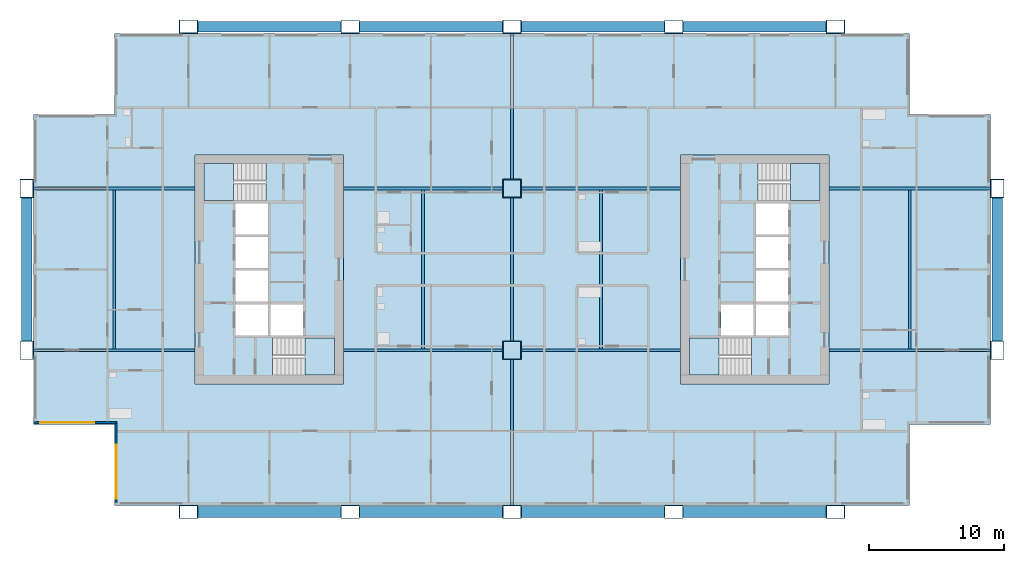
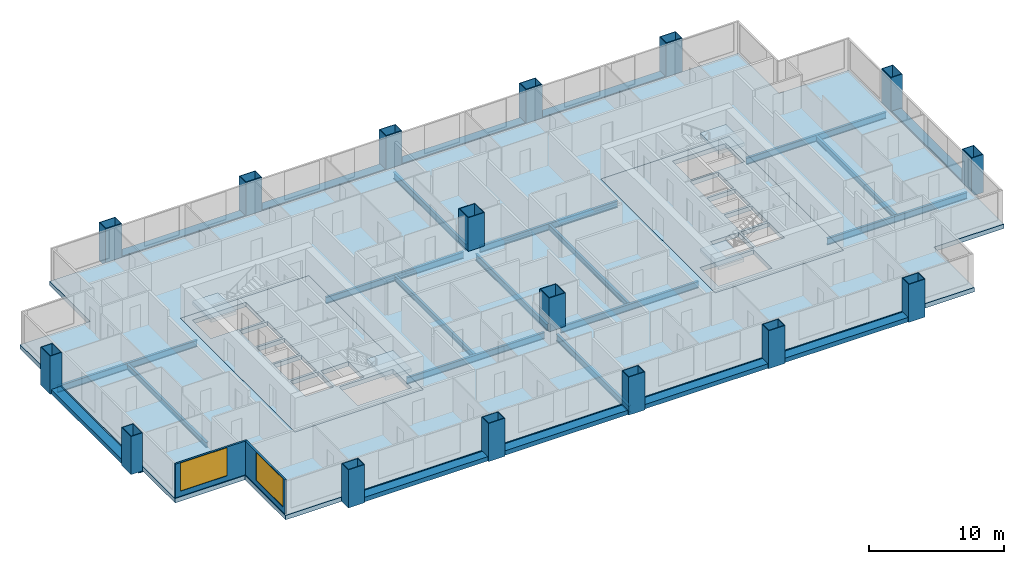
# One storey, part 1 of 11: 25 beams, 16 columns, 7 slabs, 2 walls, 2 windows, 2 openings, 4 elements without a shape of their own.
"""IFC4 building model written with IfcOpenShell, lengths in metres."""

from ifc_helpers import new_model, si_unit, direction, frame, frame_2d, origin, origin_2d, place, context, subcontext, project, spatial, polyline, rectangle, hollow_rectangle, i_section, outline, extrude, material, layer, layer_set, material_profile, profile_set, type_object, element, fill, aggregate, save


model = new_model("IFC4")

# Units and contexts
model_context = context("Model", 3, precision=1e-05, world=origin(), true_north=direction((0.0, 1.0)))
body_context = subcontext(model_context, "Body", "Model", "MODEL_VIEW")
ifc_project = project(units=[si_unit("LENGTHUNIT", "METRE"), si_unit("AREAUNIT", "SQUARE_METRE"), si_unit("VOLUMEUNIT", "CUBIC_METRE"), si_unit("PLANEANGLEUNIT", "RADIAN"), si_unit("MASSUNIT", "GRAM", prefix="KILO")], contexts=[model_context])

# Site, building, storey
site_placement = place(None, origin())
site = spatial("IfcSite", under=ifc_project, at=site_placement, CompositionType="ELEMENT")
building_placement = place(site_placement, origin())
building = spatial("IfcBuilding", under=site, at=building_placement, Name="Kitamizu Gate Tower and Museum", CompositionType="ELEMENT")
storey_placement = place(building_placement, frame((0.0, 0.0, 127.64990234375)))
storey = spatial("IfcBuildingStorey", under=building, at=storey_placement, Name="L33", CompositionType="ELEMENT", Elevation=127.64990234375)

# Columns
ifc_material_1 = material(Name="Steel SM490A bronze coated", Category="steel")
ifc_material_profile_1 = material_profile(ifc_material_1, hollow_rectangle(XDim=1.39990234375, YDim=1.0, WallThickness=0.054931640625, at=origin_2d()), Name="BOX 1400x1000x55")
ifc_profile_set_1 = profile_set([ifc_material_profile_1], Name="Steel SM490A bronze coated")
column_type_1 = type_object("IfcColumnType", Name="Exoskeleton column XC5 BOX 1400x1000x55", PredefinedType="COLUMN", material=ifc_profile_set_1)
for number, where, z_axis, x_axis, name in (
    (1, (0.0, 24.0, -0.39990234375), (0.0, 0.0, 1.0), (0.0, 1.0, 0.0), "Column XC5 1C L33"),
    (2, (0.0, 36.0, -0.39990234375), (0.0, 0.0, 1.0), (0.0, 1.0, 0.0), "Column XC5 1D L33"),
    (3, (12.0, 12.0, -0.39990234375), (0.0, 0.0, 1.0), (1.0, 0.0, 0.0), "Column XC5 2B L33"),
    (4, (12.0, 48.0, -0.39990234375), (0.0, 0.0, 1.0), (1.0, 0.0, 0.0), "Column XC5 2E L33"),
    (5, (24.0, 12.0, -0.39990234375), (0.0, 0.0, 1.0), (1.0, 0.0, 0.0), "Column XC5 3B L33"),
    (6, (24.0, 48.0, -0.39990234375), (0.0, 0.0, 1.0), (1.0, 0.0, 0.0), "Column XC5 3E L33"),
    (7, (36.0, 12.0, -0.39990234375), (0.0, 0.0, 1.0), (1.0, 0.0, 0.0), "Column XC5 4B L33"),
    (8, (36.0, 48.0, -0.39990234375), (0.0, 0.0, 1.0), (1.0, 0.0, 0.0), "Column XC5 4E L33"),
    (9, (48.0, 12.0, -0.39990234375), (0.0, 0.0, 1.0), (1.0, 0.0, 0.0), "Column XC5 5B L33"),
    (10, (48.0, 48.0, -0.39990234375), (0.0, 0.0, 1.0), (1.0, 0.0, 0.0), "Column XC5 5E L33"),
    (11, (60.0, 12.0, -0.39990234375), (0.0, 0.0, 1.0), (1.0, 0.0, 0.0), "Column XC5 6B L33"),
    (12, (60.0, 48.0, -0.39990234375), (0.0, 0.0, 1.0), (1.0, 0.0, 0.0), "Column XC5 6E L33"),
    (13, (72.0, 24.0, -0.39990234375), (0.0, 0.0, 1.0), (0.0, 1.0, 0.0), "Column XC5 7C L33"),
    (14, (72.0, 36.0, -0.39990234375), (0.0, 0.0, 1.0), (0.0, 1.0, 0.0), "Column XC5 7D L33"),
):
    element("IfcColumn", number, at=place(storey_placement, frame(where, z_axis=z_axis, x_axis=x_axis)), inside=storey, type_object=column_type_1, Name=name, PredefinedType="COLUMN", context=body_context, shape_type="SweptSolid", body=[
        extrude(hollow_rectangle(XDim=1.39990234375, YDim=1.0, WallThickness=0.054931640625, at=origin_2d()), origin(), (0.0, 0.0, 1.0), 3.449951171875),
    ])
ifc_material_2 = material(Name="Steel SM490A", Category="steel")
ifc_material_profile_2 = material_profile(ifc_material_2, hollow_rectangle(XDim=1.39990234375, YDim=1.39990234375, WallThickness=0.06005859375, at=origin_2d()), Name="BOX 1400x1400x60")
ifc_profile_set_2 = profile_set([ifc_material_profile_2], Name="Steel SM490A")
column_type_2 = type_object("IfcColumnType", Name="Interior column IC3 BOX 1400x1400x60", PredefinedType="COLUMN", material=ifc_profile_set_2)
for number, where, z_axis, x_axis, name in (
    (15, (36.0, 24.0, 0.0), (0.0, 0.0, 1.0), (1.0, 0.0, 0.0), "Column IC3 4C L33"),
    (16, (36.0, 36.0, 0.0), (0.0, 0.0, 1.0), (1.0, 0.0, 0.0), "Column IC3 4D L33"),
):
    element("IfcColumn", number, at=place(storey_placement, frame(where, z_axis=z_axis, x_axis=x_axis)), inside=storey, type_object=column_type_2, Name=name, PredefinedType="COLUMN", context=body_context, shape_type="SweptSolid", body=[
        extrude(hollow_rectangle(XDim=1.39990234375, YDim=1.39990234375, WallThickness=0.06005859375, at=origin_2d()), origin(), (0.0, 0.0, 1.0), 3.050048828125),
    ])

# Beams
ifc_material_3 = material(Name="Steel SM490A bronze coated", Category="steel")
ifc_material_profile_3 = material_profile(ifc_material_3, hollow_rectangle(XDim=0.800048828125, YDim=0.39990234375, WallThickness=0.0400390625, at=origin_2d()), Name="BOX 800x400x40")
ifc_profile_set_3 = profile_set([ifc_material_profile_3], Name="Steel SM490A bronze coated")
beam_type_1 = type_object("IfcBeamType", Name="Exoskeleton spandrel beam SB1 BOX 800x400x40", PredefinedType="SPANDREL", material=ifc_profile_set_3)
for number, where, z_axis, x_axis, name in (
    (17, (12.699951171875, 12.0, -0.199951171875), (1.0, 0.0, 0.0), (0.0, 1.0, 0.0), "Exoskeleton spandrel beam south 12 L33"),
    (18, (24.699951171875, 12.0, -0.199951171875), (1.0, 0.0, 0.0), (0.0, 1.0, 0.0), "Exoskeleton spandrel beam south 24 L33"),
    (19, (36.699951171875, 12.0, -0.199951171875), (1.0, 0.0, 0.0), (0.0, 1.0, 0.0), "Exoskeleton spandrel beam south 36 L33"),
    (20, (48.699951171875, 12.0, -0.199951171875), (1.0, 0.0, 0.0), (0.0, 1.0, 0.0), "Exoskeleton spandrel beam south 48 L33"),
    (21, (12.699951171875, 48.0, -0.199951171875), (1.0, 0.0, 0.0), (0.0, 1.0, 0.0), "Exoskeleton spandrel beam north 12 L33"),
    (22, (24.699951171875, 48.0, -0.199951171875), (1.0, 0.0, 0.0), (0.0, 1.0, 0.0), "Exoskeleton spandrel beam north 24 L33"),
    (23, (36.699951171875, 48.0, -0.199951171875), (1.0, 0.0, 0.0), (0.0, 1.0, 0.0), "Exoskeleton spandrel beam north 36 L33"),
    (24, (48.699951171875, 48.0, -0.199951171875), (1.0, 0.0, 0.0), (0.0, 1.0, 0.0), "Exoskeleton spandrel beam north 48 L33"),
    (25, (0.0, 24.699951171875, -0.199951171875), (0.0, 1.0, 0.0), (-1.0, 0.0, 0.0), "Exoskeleton spandrel beam west 24 L33"),
    (26, (72.0, 24.699951171875, -0.199951171875), (0.0, 1.0, 0.0), (-1.0, 0.0, 0.0), "Exoskeleton spandrel beam east 24 L33"),
):
    element("IfcBeam", number, at=place(storey_placement, frame(where, z_axis=z_axis, x_axis=x_axis)), inside=storey, type_object=beam_type_1, Name=name, PredefinedType="SPANDREL", context=body_context, shape_type="SweptSolid", body=[
        extrude(hollow_rectangle(XDim=0.800048828125, YDim=0.39990234375, WallThickness=0.0400390625, at=origin_2d()), origin(), (0.0, 0.0, 1.0), 10.60009765625),
    ])
ifc_material_4 = material(Name="Steel SM490A", Category="steel")
ifc_material_profile_4 = material_profile(ifc_material_4, i_section(OverallWidth=0.199951171875, OverallDepth=0.5, WebThickness=0.010009765625, FlangeThickness=0.01611328125, FilletRadius=0.02001953125, at=origin_2d()), Name="H-500x200x10x16")
ifc_profile_set_4 = profile_set([ifc_material_profile_4], Name="Steel SM490A")
beam_type_2 = type_object("IfcBeamType", Name="Floor beam FB1 H 500x200x10x16", PredefinedType="BEAM", material=ifc_profile_set_4)
for number, where, z_axis, x_axis, name in (
    (27, (6.5, 24.10009765625, -0.64990234375), (0.0, 1.0, 0.0), (-1.0, 0.0, 0.0), "Floor beam FB1 L33-1"),
    (28, (29.39990234375, 24.10009765625, -0.64990234375), (0.0, 1.0, 0.0), (-1.0, 0.0, 0.0), "Floor beam FB1 L33-2"),
    (29, (42.60009765625, 24.10009765625, -0.64990234375), (0.0, 1.0, 0.0), (-1.0, 0.0, 0.0), "Floor beam FB1 L33-3"),
    (30, (65.5, 24.10009765625, -0.64990234375), (0.0, 1.0, 0.0), (-1.0, 0.0, 0.0), "Floor beam FB1 L33-4"),
):
    element("IfcBeam", number, at=place(storey_placement, frame(where, z_axis=z_axis, x_axis=x_axis)), inside=storey, type_object=beam_type_2, Name=name, PredefinedType="BEAM", context=body_context, shape_type="SweptSolid", body=[
        extrude(i_section(OverallWidth=0.199951171875, OverallDepth=0.5, WebThickness=0.010009765625, FlangeThickness=0.01611328125, FilletRadius=0.02001953125, at=origin_2d()), origin(), (0.0, 0.0, 1.0), 11.7998046875),
    ])
ifc_material_5 = material(Name="Steel SM490A", Category="steel")
ifc_material_profile_5 = material_profile(ifc_material_5, i_section(OverallWidth=0.199951171875, OverallDepth=0.60009765625, WebThickness=0.010986328125, FlangeThickness=0.01708984375, FilletRadius=0.02197265625, at=origin_2d()), Name="H-600x200x11x17")
ifc_profile_set_5 = profile_set([ifc_material_profile_5], Name="Steel SM490A")
beam_type_3 = type_object("IfcBeamType", Name="Floor girder FG1 H 600x200x11x17", PredefinedType="BEAM", material=ifc_profile_set_5)
beam_1_placement = place(storey_placement, frame((36.0, 12.5, -0.699951171875), z_axis=(0.0, 1.0, 0.0), x_axis=(-1.0, 0.0, 0.0)))
element("IfcBeam", 31, at=beam_1_placement, inside=storey, type_object=beam_type_3, Name="Floor girder FG1 x36 L33", PredefinedType="BEAM", context=body_context, shape_type="SweptSolid", body=[
    extrude(i_section(OverallWidth=0.199951171875, OverallDepth=0.60009765625, WebThickness=0.010986328125, FlangeThickness=0.01708984375, FilletRadius=0.02197265625, at=origin_2d()), origin(), (0.0, 0.0, 1.0), 10.800048828125),
])
beam_2_placement = place(storey_placement, frame((36.0, 24.699951171875, -0.699951171875), z_axis=(0.0, 1.0, 0.0), x_axis=(-1.0, 0.0, 0.0)))
element("IfcBeam", 32, at=beam_2_placement, inside=storey, type_object=beam_type_3, Name="Floor girder FG1 x36 L33", PredefinedType="BEAM", context=body_context, shape_type="SweptSolid", body=[
    extrude(i_section(OverallWidth=0.199951171875, OverallDepth=0.60009765625, WebThickness=0.010986328125, FlangeThickness=0.01708984375, FilletRadius=0.02197265625, at=origin_2d()), origin(), (0.0, 0.0, 1.0), 10.60009765625),
])
beam_3_placement = place(storey_placement, frame((36.0, 36.699951171875, -0.699951171875), z_axis=(0.0, 1.0, 0.0), x_axis=(-1.0, 0.0, 0.0)))
element("IfcBeam", 33, at=beam_3_placement, inside=storey, type_object=beam_type_3, Name="Floor girder FG1 x36 L33", PredefinedType="BEAM", context=body_context, shape_type="SweptSolid", body=[
    extrude(i_section(OverallWidth=0.199951171875, OverallDepth=0.60009765625, WebThickness=0.010986328125, FlangeThickness=0.01708984375, FilletRadius=0.02197265625, at=origin_2d()), origin(), (0.0, 0.0, 1.0), 10.800048828125),
])
beam_4_placement = place(storey_placement, frame((0.5, 24.0, -0.699951171875), z_axis=(1.0, 0.0, 0.0), x_axis=(0.0, 1.0, 0.0)))
element("IfcBeam", 34, at=beam_4_placement, inside=storey, type_object=beam_type_3, Name="Floor girder FG1 y24 L33", PredefinedType="BEAM", context=body_context, shape_type="SweptSolid", body=[
    extrude(i_section(OverallWidth=0.199951171875, OverallDepth=0.60009765625, WebThickness=0.010986328125, FlangeThickness=0.01708984375, FilletRadius=0.02197265625, at=origin_2d()), origin(), (0.0, 0.0, 1.0), 12.0),
])
for number, where, z_axis, x_axis, name in (
    (35, (23.5, 24.0, -0.699951171875), (1.0, 0.0, 0.0), (0.0, 1.0, 0.0), "Floor girder FG1 y24 L33"),
    (36, (36.699951171875, 24.0, -0.699951171875), (1.0, 0.0, 0.0), (0.0, 1.0, 0.0), "Floor girder FG1 y24 L33"),
):
    element("IfcBeam", number, at=place(storey_placement, frame(where, z_axis=z_axis, x_axis=x_axis)), inside=storey, type_object=beam_type_3, Name=name, PredefinedType="BEAM", context=body_context, shape_type="SweptSolid", body=[
        extrude(i_section(OverallWidth=0.199951171875, OverallDepth=0.60009765625, WebThickness=0.010986328125, FlangeThickness=0.01708984375, FilletRadius=0.02197265625, at=origin_2d()), origin(), (0.0, 0.0, 1.0), 11.800048828125),
    ])
for number, where, z_axis, x_axis, name in (
    (37, (59.5, 24.0, -0.699951171875), (1.0, 0.0, 0.0), (0.0, 1.0, 0.0), "Floor girder FG1 y24 L33"),
    (38, (0.5, 36.0, -0.699951171875), (1.0, 0.0, 0.0), (0.0, 1.0, 0.0), "Floor girder FG1 y36 L33"),
):
    element("IfcBeam", number, at=place(storey_placement, frame(where, z_axis=z_axis, x_axis=x_axis)), inside=storey, type_object=beam_type_3, Name=name, PredefinedType="BEAM", context=body_context, shape_type="SweptSolid", body=[
        extrude(i_section(OverallWidth=0.199951171875, OverallDepth=0.60009765625, WebThickness=0.010986328125, FlangeThickness=0.01708984375, FilletRadius=0.02197265625, at=origin_2d()), origin(), (0.0, 0.0, 1.0), 12.0),
    ])
for number, where, z_axis, x_axis, name in (
    (39, (23.5, 36.0, -0.699951171875), (1.0, 0.0, 0.0), (0.0, 1.0, 0.0), "Floor girder FG1 y36 L33"),
    (40, (36.699951171875, 36.0, -0.699951171875), (1.0, 0.0, 0.0), (0.0, 1.0, 0.0), "Floor girder FG1 y36 L33"),
):
    element("IfcBeam", number, at=place(storey_placement, frame(where, z_axis=z_axis, x_axis=x_axis)), inside=storey, type_object=beam_type_3, Name=name, PredefinedType="BEAM", context=body_context, shape_type="SweptSolid", body=[
        extrude(i_section(OverallWidth=0.199951171875, OverallDepth=0.60009765625, WebThickness=0.010986328125, FlangeThickness=0.01708984375, FilletRadius=0.02197265625, at=origin_2d()), origin(), (0.0, 0.0, 1.0), 11.800048828125),
    ])
beam_5_placement = place(storey_placement, frame((59.5, 36.0, -0.699951171875), z_axis=(1.0, 0.0, 0.0), x_axis=(0.0, 1.0, 0.0)))
element("IfcBeam", 41, at=beam_5_placement, inside=storey, type_object=beam_type_3, Name="Floor girder FG1 y36 L33", PredefinedType="BEAM", context=body_context, shape_type="SweptSolid", body=[
    extrude(i_section(OverallWidth=0.199951171875, OverallDepth=0.60009765625, WebThickness=0.010986328125, FlangeThickness=0.01708984375, FilletRadius=0.02197265625, at=origin_2d()), origin(), (0.0, 0.0, 1.0), 12.0),
])

# Slabs
ifc_material_6 = material(Name="Concrete Fc36", Category="concrete")
ifc_layer_1 = layer(ifc_material_6, 0.39990234375)
ifc_layer_set_1 = layer_set([ifc_layer_1], Name="Concrete Fc36")
slab_type_1 = type_object("IfcSlabType", Name="Core floor slab 400", PredefinedType="FLOOR", material=ifc_layer_set_1)
slab_1_placement = place(storey_placement, frame((0.0, 0.0, -0.39990234375)))
element("IfcSlab", 42, at=slab_1_placement, inside=storey, type_object=slab_type_1, Name="Core floor slab W", PredefinedType="FLOOR", context=body_context, shape_type="SweptSolid", body=[
    extrude(outline(polyline([(12.5, 21.5), (23.5, 21.5), (23.5, 38.5), (12.5, 38.5), (12.5, 21.5)]), holes=[polyline([(15.5, 25.10009765625), (17.89990234375, 25.10009765625), (17.89990234375, 27.39990234375), (15.5, 27.39990234375), (15.5, 25.10009765625)]), polyline([(15.5, 27.60009765625), (17.89990234375, 27.60009765625), (17.89990234375, 29.89990234375), (15.5, 29.89990234375), (15.5, 27.60009765625)]), polyline([(15.5, 30.10009765625), (17.89990234375, 30.10009765625), (17.89990234375, 32.39990234375), (15.5, 32.39990234375), (15.5, 30.10009765625)]), polyline([(15.5, 32.60009765625), (17.89990234375, 32.60009765625), (17.89990234375, 34.89990234375), (15.5, 34.89990234375), (15.5, 32.60009765625)]), polyline([(18.10009765625, 25.10009765625), (20.5, 25.10009765625), (20.5, 27.39990234375), (18.10009765625, 27.39990234375), (18.10009765625, 25.10009765625)]), polyline([(18.25048828125, 22.14990234375), (22.85009765625, 22.14990234375), (22.85009765625, 24.89990234375), (18.25048828125, 24.89990234375), (18.25048828125, 22.14990234375)]), polyline([(13.14990234375, 35.10009765625), (17.74951171875, 35.10009765625), (17.74951171875, 37.85009765625), (13.14990234375, 37.85009765625), (13.14990234375, 35.10009765625)])]), origin(), (0.0, 0.0, 1.0), 0.39990234375),
])
slab_2_placement = place(storey_placement, frame((0.0, 0.0, -0.39990234375)))
element("IfcSlab", 43, at=slab_2_placement, inside=storey, type_object=slab_type_1, Name="Core floor slab E", PredefinedType="FLOOR", context=body_context, shape_type="SweptSolid", body=[
    extrude(outline(polyline([(48.5, 21.5), (59.5, 21.5), (59.5, 38.5), (48.5, 38.5), (48.5, 21.5)]), holes=[polyline([(54.10009765625, 25.10009765625), (56.5, 25.10009765625), (56.5, 27.39990234375), (54.10009765625, 27.39990234375), (54.10009765625, 25.10009765625)]), polyline([(54.10009765625, 27.60009765625), (56.5, 27.60009765625), (56.5, 29.89990234375), (54.10009765625, 29.89990234375), (54.10009765625, 27.60009765625)]), polyline([(54.10009765625, 30.10009765625), (56.5, 30.10009765625), (56.5, 32.39990234375), (54.10009765625, 32.39990234375), (54.10009765625, 30.10009765625)]), polyline([(54.10009765625, 32.60009765625), (56.5, 32.60009765625), (56.5, 34.89990234375), (54.10009765625, 34.89990234375), (54.10009765625, 32.60009765625)]), polyline([(51.5, 25.10009765625), (53.89990234375, 25.10009765625), (53.89990234375, 27.39990234375), (51.5, 27.39990234375), (51.5, 25.10009765625)]), polyline([(49.14990234375, 22.14990234375), (53.74951171875, 22.14990234375), (53.74951171875, 24.89990234375), (49.14990234375, 24.89990234375), (49.14990234375, 22.14990234375)]), polyline([(54.25048828125, 35.10009765625), (58.85009765625, 35.10009765625), (58.85009765625, 37.85009765625), (54.25048828125, 37.85009765625), (54.25048828125, 35.10009765625)])]), origin(), (0.0, 0.0, 1.0), 0.39990234375),
])
ifc_material_7 = material(Name="Concrete Fc36", Category="concrete")
ifc_layer_2 = layer(ifc_material_7, 0.39990234375)
ifc_layer_set_2 = layer_set([ifc_layer_2], Name="Concrete Fc36")
slab_type_2 = type_object("IfcSlabType", Name="Post tensioned flat slab 400", PredefinedType="FLOOR", material=ifc_layer_set_2)
slab_3_placement = place(storey_placement, frame((0.0, 0.0, -0.39990234375)))
element("IfcSlab", 44, at=slab_3_placement, inside=storey, type_object=slab_type_2, Name="Floor slab L33-1", PredefinedType="FLOOR", context=body_context, shape_type="SweptSolid", body=[
    extrude(outline(polyline([(0.5, 18.5), (0.5, 41.5), (6.5, 41.5), (6.5, 47.5), (65.5, 47.5), (65.5, 41.5), (71.5, 41.5), (71.5, 18.5), (65.5, 18.5), (65.5, 12.5), (6.5, 12.5), (6.5, 18.5), (0.5, 18.5)]), holes=[polyline([(59.5, 38.5), (48.5, 38.5), (48.5, 21.5), (59.5, 21.5), (59.5, 38.5)]), polyline([(12.5, 38.5), (12.5, 21.5), (23.5, 21.5), (23.5, 38.5), (12.5, 38.5)])]), origin(), (0.0, 0.0, 1.0), 0.39990234375),
])

# Stair, slab
ifc_material_8 = material(Name="Concrete Fc42", Category="concrete")
stair_type = type_object("IfcStairType", Name="Exit stair 1275 wide 192 rise 300 going", PredefinedType="HALF_TURN_STAIR", material=ifc_material_8)
stair_1_placement = place(storey_placement, origin())
stair_1 = element("IfcStair", 45, at=stair_1_placement, inside=storey, type_object=stair_type, Name="Exit stair ST1", PredefinedType="HALF_TURN_STAIR")
ifc_material_9 = material(Name="Concrete Fc42", Category="concrete")
ifc_layer_3 = layer(ifc_material_9, 0.300048828125)
ifc_layer_set_3 = layer_set([ifc_layer_3], Name="Concrete Fc42")
slab_type_3 = type_object("IfcSlabType", Name="Stair landing 300", PredefinedType="LANDING", material=ifc_layer_set_3)
slab_4_placement = place(storey_placement, frame((0.0, 0.0, 1.425048828125)))
slab_4 = element("IfcSlab", 46, at=slab_4_placement, type_object=slab_type_3, Name="ST1 landing 1", PredefinedType="LANDING", context=body_context, shape_type="SweptSolid", body=[
    extrude(outline(polyline([(20.64990234375, 22.14990234375), (22.85009765625, 22.14990234375), (22.85009765625, 24.89990234375), (20.64990234375, 24.89990234375), (20.64990234375, 22.14990234375)])), origin(), (0.0, 0.0, 1.0), 0.300048828125),
])
aggregate(stair_1, [slab_4])

stair_2_placement = place(storey_placement, origin())
stair_2 = element("IfcStair", 47, at=stair_2_placement, inside=storey, type_object=stair_type, Name="Exit stair ST2", PredefinedType="HALF_TURN_STAIR")
slab_5_placement = place(storey_placement, frame((0.0, 0.0, 1.425048828125)))
slab_5 = element("IfcSlab", 48, at=slab_5_placement, type_object=slab_type_3, Name="ST2 landing 1", PredefinedType="LANDING", context=body_context, shape_type="SweptSolid", body=[
    extrude(outline(polyline([(13.14990234375, 35.10009765625), (15.35009765625, 35.10009765625), (15.35009765625, 37.85009765625), (13.14990234375, 37.85009765625), (13.14990234375, 35.10009765625)])), origin(), (0.0, 0.0, 1.0), 0.300048828125),
])
aggregate(stair_2, [slab_5])

stair_3_placement = place(storey_placement, origin())
stair_3 = element("IfcStair", 49, at=stair_3_placement, inside=storey, type_object=stair_type, Name="Exit stair ST3", PredefinedType="HALF_TURN_STAIR")
slab_6_placement = place(storey_placement, frame((0.0, 0.0, 1.425048828125)))
slab_6 = element("IfcSlab", 50, at=slab_6_placement, type_object=slab_type_3, Name="ST3 landing 1", PredefinedType="LANDING", context=body_context, shape_type="SweptSolid", body=[
    extrude(outline(polyline([(49.14990234375, 22.14990234375), (51.35009765625, 22.14990234375), (51.35009765625, 24.89990234375), (49.14990234375, 24.89990234375), (49.14990234375, 22.14990234375)])), origin(), (0.0, 0.0, 1.0), 0.300048828125),
])
aggregate(stair_3, [slab_6])

stair_4_placement = place(storey_placement, origin())
stair_4 = element("IfcStair", 51, at=stair_4_placement, inside=storey, type_object=stair_type, Name="Exit stair ST4", PredefinedType="HALF_TURN_STAIR")
slab_7_placement = place(storey_placement, frame((0.0, 0.0, 1.425048828125)))
slab_7 = element("IfcSlab", 52, at=slab_7_placement, type_object=slab_type_3, Name="ST4 landing 1", PredefinedType="LANDING", context=body_context, shape_type="SweptSolid", body=[
    extrude(outline(polyline([(56.64990234375, 35.10009765625), (58.85009765625, 35.10009765625), (58.85009765625, 37.85009765625), (56.64990234375, 37.85009765625), (56.64990234375, 35.10009765625)])), origin(), (0.0, 0.0, 1.0), 0.300048828125),
])
aggregate(stair_4, [slab_7])

# Wall, opening, window
ifc_material_10 = material(Name="Bronze anodised aluminium frame with insulated spandrel and tinted glass", Category="aluminium")
ifc_layer_4 = layer(ifc_material_10, 0.14990234375)
ifc_layer_set_4 = layer_set([ifc_layer_4], Name="Bronze anodised aluminium frame with insulated spandrel and tinted glass")
wall_type = type_object("IfcWallType", Name="WINDOW WALL 150 BRONZE FRAME EI 30", PredefinedType="ELEMENTEDWALL", material=ifc_layer_set_4)
wall_1_placement = place(storey_placement, frame((0.56005859375, 18.635009765625, 0.0), z_axis=(0.0, 0.0, 1.0), x_axis=(1.0, 0.0, 0.0)))
wall_1 = element("IfcWall", 53, at=wall_1_placement, inside=storey, type_object=wall_type, Name="Window wall south L33", PredefinedType="ELEMENTEDWALL", context=body_context, shape_type="SweptSolid", body=[
    extrude(rectangle(XDim=6.14990234375, YDim=0.14990234375, at=frame_2d((3.074951171875, 0.0))), origin(), (0.0, 0.0, 1.0), 3.050048828125),
])
opening_1_placement = place(wall_1_placement, frame((0.43994140625, 0.0, 0.449951171875)))
opening_1 = element("IfcOpeningElement", 54, at=opening_1_placement, cuts=wall_1, Name="Opening W16", PredefinedType="OPENING", context=body_context, shape_type="SweptSolid", body=[
    extrude(rectangle(XDim=4.0, YDim=2.550048828125, at=frame_2d((2.0, 1.27490234375))), frame((0.0, 0.0849609375, 0.0), z_axis=(0.0, -1.0, 0.0), x_axis=(1.0, 0.0, 0.0)), (0.0, 0.0, 1.0), 0.169921875),
])
ifc_material_11 = material(Name="Bronze anodised aluminium frame, tinted triple glazing", Category="aluminium")
window_type = type_object("IfcWindowType", Name="WINDOW 4000 x 2550 SILL 450", PartitioningType="SINGLE_PANEL", PredefinedType="WINDOW", material=ifc_material_11)
window_1_placement = place(opening_1_placement, origin())
window_1 = element("IfcWindow", 55, at=window_1_placement, inside=storey, type_object=window_type, Name="Window W16 L33", OverallHeight=2.550048828125, OverallWidth=4.0, PartitioningType="SINGLE_PANEL", PredefinedType="WINDOW", context=body_context, shape_type="SweptSolid", body=[
    extrude(rectangle(XDim=4.0, YDim=2.550048828125, at=frame_2d((2.0, 1.27490234375))), frame((0.0, 0.030029296875, 0.0), z_axis=(0.0, -1.0, 0.0), x_axis=(1.0, 0.0, 0.0)), (0.0, 0.0, 1.0), 0.06005859375),
])
fill(opening_1, window_1)

wall_2_placement = place(storey_placement, frame((6.635009765625, 12.7099609375, 0.0), z_axis=(0.0, 0.0, 1.0), x_axis=(0.0, 1.0, 0.0)))
wall_2 = element("IfcWall", 56, at=wall_2_placement, inside=storey, type_object=wall_type, Name="Window wall west L33", PredefinedType="ELEMENTEDWALL", context=body_context, shape_type="SweptSolid", body=[
    extrude(rectangle(XDim=5.85009765625, YDim=0.14990234375, at=frame_2d((2.925048828125, 0.0))), origin(), (0.0, 0.0, 1.0), 3.050048828125),
])
opening_2_placement = place(wall_2_placement, frame((0.2900390625, 0.0, 0.449951171875)))
opening_2 = element("IfcOpeningElement", 57, at=opening_2_placement, cuts=wall_2, Name="Opening W16", PredefinedType="OPENING", context=body_context, shape_type="SweptSolid", body=[
    extrude(rectangle(XDim=4.0, YDim=2.550048828125, at=frame_2d((2.0, 1.27490234375))), frame((0.0, 0.0849609375, 0.0), z_axis=(0.0, -1.0, 0.0), x_axis=(1.0, 0.0, 0.0)), (0.0, 0.0, 1.0), 0.169921875),
])
window_2_placement = place(opening_2_placement, origin())
window_2 = element("IfcWindow", 58, at=window_2_placement, inside=storey, type_object=window_type, Name="Window W16 L33", OverallHeight=2.550048828125, OverallWidth=4.0, PartitioningType="SINGLE_PANEL", PredefinedType="WINDOW", context=body_context, shape_type="SweptSolid", body=[
    extrude(rectangle(XDim=4.0, YDim=2.550048828125, at=frame_2d((2.0, 1.27490234375))), frame((0.0, 0.030029296875, 0.0), z_axis=(0.0, -1.0, 0.0), x_axis=(1.0, 0.0, 0.0)), (0.0, 0.0, 1.0), 0.06005859375),
])
fill(opening_2, window_2)

save(model, "model.ifc")
